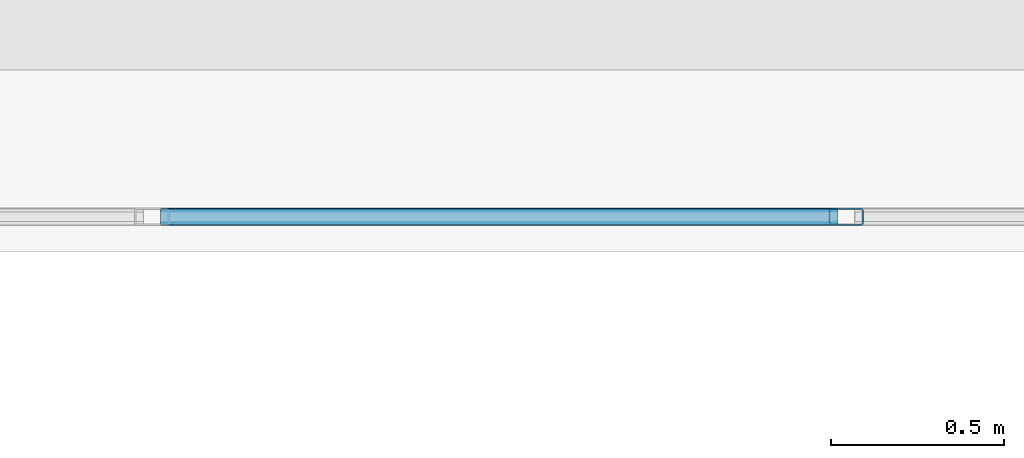
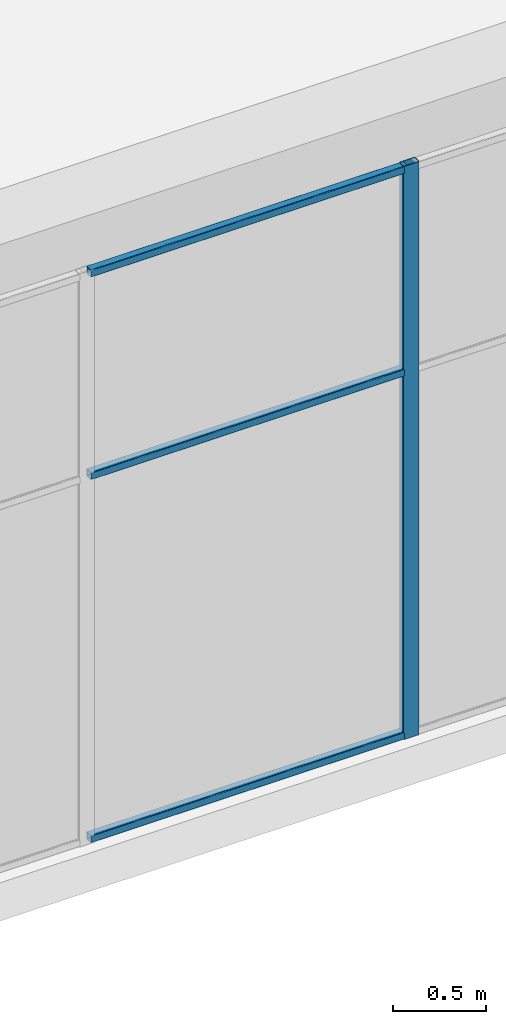
# One storey, part 17 of 66: 4 members, 1 element without a shape of its own.
"""IFC4 building model written with IfcOpenShell, lengths in metres."""

from ifc_helpers import new_model, si_unit, direction, frame, origin, origin_2d, place, context, subcontext, project, spatial, hollow_rectangle, extrude, material, layer, layer_set, material_profile, profile_set, type_object, element, aggregate, save


model = new_model("IFC4")

# Units and contexts
model_context = context("Model", 3, precision=1e-05, world=origin(), true_north=direction((0.0, 1.0)))
body_context = subcontext(model_context, "Body", "Model", "MODEL_VIEW")
ifc_project = project(units=[si_unit("LENGTHUNIT", "METRE"), si_unit("AREAUNIT", "SQUARE_METRE"), si_unit("VOLUMEUNIT", "CUBIC_METRE"), si_unit("PLANEANGLEUNIT", "RADIAN"), si_unit("MASSUNIT", "GRAM", prefix="KILO")], contexts=[model_context])

# Site, building, storey
site_placement = place(None, origin())
site = spatial("IfcSite", under=ifc_project, at=site_placement, CompositionType="ELEMENT")
building_placement = place(site_placement, origin())
building = spatial("IfcBuilding", under=site, at=building_placement, Name="Tuart Plaza Theatre", CompositionType="ELEMENT")
storey_placement = place(building_placement, frame((0.0, 0.0, 5.5)))
storey = spatial("IfcBuildingStorey", under=building, at=storey_placement, Name="L01", CompositionType="ELEMENT", Elevation=5.5)

# Curtain wall, members
ifc_material_1 = material(Name="Aluminium and glass", Category="aluminium")
ifc_layer = layer(ifc_material_1, 0.10009765625)
ifc_layer_set = layer_set([ifc_layer], Name="CURTAIN WALL 2000 module")
curtain_wall_type = type_object("IfcCurtainWallType", Name="CURTAIN WALL 2000 module", PredefinedType="NOTDEFINED", material=ifc_layer_set)
curtain_wall_placement = place(storey_placement, origin())
curtain_wall = element("IfcCurtainWall", 1, at=curtain_wall_placement, inside=storey, type_object=curtain_wall_type, Name="CW68", PredefinedType="NOTDEFINED")
ifc_material_2 = material(Name="Aluminium 6063-T5", Category="aluminium")
ifc_material_profile_1 = material_profile(ifc_material_2, hollow_rectangle(XDim=0.050048828125, YDim=0.10009765625, WallThickness=0.00390625, InnerFilletRadius=0.00390625, OuterFilletRadius=0.008056640625, at=origin_2d()), Name="RHS 100x50x4")
ifc_profile_set_1 = profile_set([ifc_material_profile_1], Name="Aluminium 6063-T5")
member_type_1 = type_object("IfcMemberType", Name="MULLION RHS 100x50x4", PredefinedType="MULLION", material=ifc_profile_set_1)
member_1_placement = place(storey_placement, frame((144.528564453125, 50.85009765625, 0.0), z_axis=(0.0, 0.0, 1.0), x_axis=(0.0, 1.0, 0.0)))
member_1 = element("IfcMember", 2, at=member_1_placement, type_object=member_type_1, Name="CW68 mullion 12", PredefinedType="MULLION", context=body_context, shape_type="SweptSolid", body=[
    extrude(hollow_rectangle(XDim=0.050048828125, YDim=0.10009765625, WallThickness=0.00390625, InnerFilletRadius=0.00390625, OuterFilletRadius=0.008056640625, at=origin_2d()), origin(), (0.0, 0.0, 1.0), 3.75),
])
ifc_material_3 = material(Name="Aluminium 6063-T5", Category="aluminium")
ifc_material_profile_2 = material_profile(ifc_material_3, hollow_rectangle(XDim=0.050048828125, YDim=0.050048828125, WallThickness=0.00390625, InnerFilletRadius=0.00390625, OuterFilletRadius=0.008056640625, at=origin_2d()), Name="RHS 50x50x4")
ifc_profile_set_2 = profile_set([ifc_material_profile_2], Name="Aluminium 6063-T5")
member_type_2 = type_object("IfcMemberType", Name="TRANSOM RHS 50x50x4", PredefinedType="USERDEFINED", material=ifc_profile_set_2)
member_2_placement = place(storey_placement, frame((142.54638671875, 50.85009765625, 0.02490234375), z_axis=(1.0, 0.0, 0.0), x_axis=(0.0, 1.0, 0.0)))
member_2 = element("IfcMember", 3, at=member_2_placement, type_object=member_type_2, Name="CW68 transom 11.1", ObjectType="TRANSOM", PredefinedType="USERDEFINED", context=body_context, shape_type="SweptSolid", body=[
    extrude(hollow_rectangle(XDim=0.050048828125, YDim=0.050048828125, WallThickness=0.00390625, InnerFilletRadius=0.00390625, OuterFilletRadius=0.008056640625, at=origin_2d()), origin(), (0.0, 0.0, 1.0), 1.957275390625),
])
member_3_placement = place(storey_placement, frame((142.54638671875, 50.85009765625, 2.39990234375), z_axis=(1.0, 0.0, 0.0), x_axis=(0.0, 1.0, 0.0)))
member_3 = element("IfcMember", 4, at=member_3_placement, type_object=member_type_2, Name="CW68 transom 11.2", ObjectType="TRANSOM", PredefinedType="USERDEFINED", context=body_context, shape_type="SweptSolid", body=[
    extrude(hollow_rectangle(XDim=0.050048828125, YDim=0.050048828125, WallThickness=0.00390625, InnerFilletRadius=0.00390625, OuterFilletRadius=0.008056640625, at=origin_2d()), origin(), (0.0, 0.0, 1.0), 1.957275390625),
])
member_4_placement = place(storey_placement, frame((142.54638671875, 50.85009765625, 3.72509765625), z_axis=(1.0, 0.0, 0.0), x_axis=(0.0, 1.0, 0.0)))
member_4 = element("IfcMember", 5, at=member_4_placement, type_object=member_type_2, Name="CW68 transom 11.3", ObjectType="TRANSOM", PredefinedType="USERDEFINED", context=body_context, shape_type="SweptSolid", body=[
    extrude(hollow_rectangle(XDim=0.050048828125, YDim=0.050048828125, WallThickness=0.00390625, InnerFilletRadius=0.00390625, OuterFilletRadius=0.008056640625, at=origin_2d()), origin(), (0.0, 0.0, 1.0), 1.957275390625),
])
aggregate(curtain_wall, [member_1, member_2, member_3, member_4])

save(model, "model.ifc")
